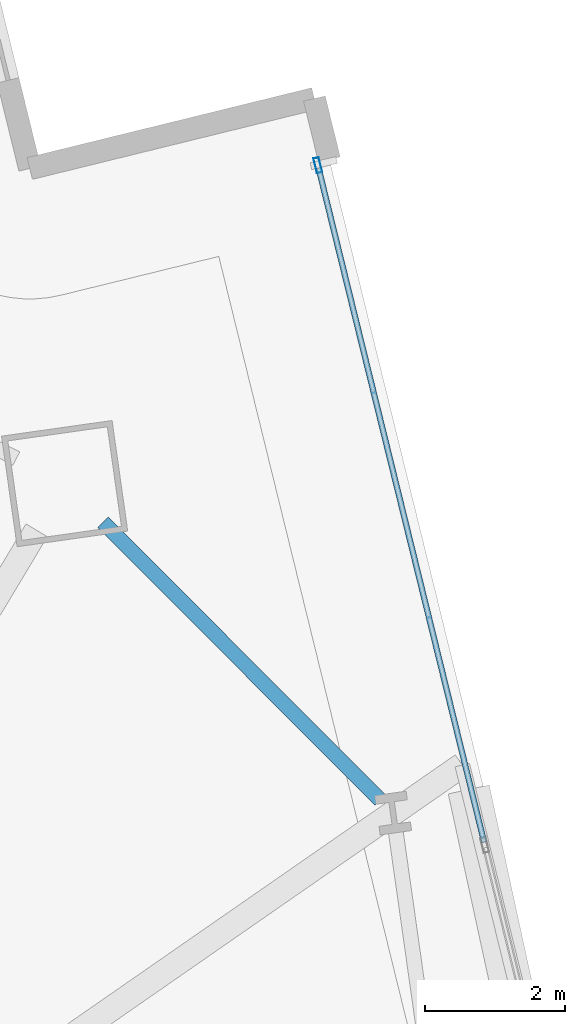
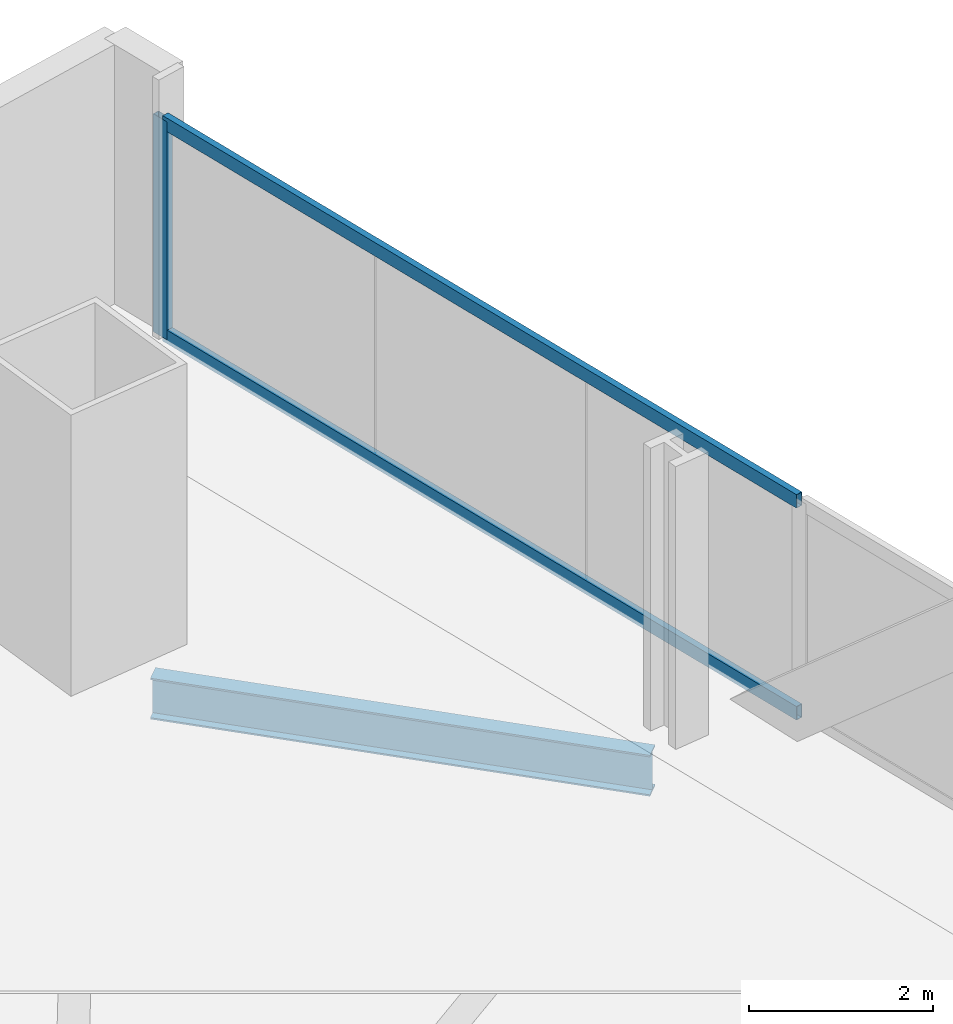
# One storey, part 22 of 32: 3 members, 1 beam, 1 element without a shape of its own.
"""IFC4 building model written with IfcOpenShell, lengths in metres."""

from ifc_helpers import new_model, si_unit, direction, frame, origin, origin_2d, place, context, subcontext, project, spatial, hollow_rectangle, i_section, extrude, material, material_profile, profile_set, type_object, element, aggregate, save


model = new_model("IFC4")

# Units and contexts
model_context = context("Model", 3, precision=1e-05, world=origin(), true_north=direction((0.0, 1.0)))
body_context = subcontext(model_context, "Body", "Model", "MODEL_VIEW")
ifc_project = project(units=[si_unit("LENGTHUNIT", "METRE"), si_unit("AREAUNIT", "SQUARE_METRE"), si_unit("VOLUMEUNIT", "CUBIC_METRE"), si_unit("PLANEANGLEUNIT", "RADIAN"), si_unit("MASSUNIT", "GRAM", prefix="KILO")], contexts=[model_context])

# Site, building, storey
site_placement = place(None, origin())
site = spatial("IfcSite", under=ifc_project, at=site_placement, CompositionType="ELEMENT")
building_placement = place(site_placement, origin())
building = spatial("IfcBuilding", under=site, at=building_placement, Name="Haldenkirk Collegiate Tower", CompositionType="ELEMENT")
storey_placement = place(building_placement, frame((0.0, 0.0, 73.949951171875)))
storey = spatial("IfcBuildingStorey", under=building, at=storey_placement, Name="L17", CompositionType="ELEMENT", Elevation=73.949951171875)

# Beam
ifc_material_1 = material(Name="Steel ASTM A992 Grade 50", Category="steel")
ifc_material_profile_1 = material_profile(ifc_material_1, i_section(OverallWidth=0.2119140625, OverallDepth=0.5439453125, WebThickness=0.01318359375, FlangeThickness=0.021240234375, at=origin_2d()), Name="W21X83")
ifc_profile_set_1 = profile_set([ifc_material_profile_1], Name="Steel ASTM A992 Grade 50")
beam_type = type_object("IfcBeamType", Name="BM-SPANDREL-W21X83", PredefinedType="SPANDREL", material=ifc_profile_set_1)
beam_placement = place(storey_placement, frame((57.70556640625, 43.135986328125, -0.58203125), z_axis=(-0.706085689957, 0.708126400043, 0.0), x_axis=(-0.708126400043, -0.706085689957, 0.0)))
element("IfcBeam", 1, at=beam_placement, inside=storey, type_object=beam_type, Name="L17 perimeter spandrel beam 08", PredefinedType="SPANDREL", context=body_context, shape_type="SweptSolid", body=[
    extrude(i_section(OverallWidth=0.2119140625, OverallDepth=0.5439453125, WebThickness=0.01318359375, FlangeThickness=0.021240234375, at=origin_2d()), origin(), (0.0, 0.0, 1.0), 5.622802734375),
])

# Curtain wall, members
ifc_material_2 = material(Name="Anodised architectural bronze aluminium", Category="aluminium")
curtain_wall_type = type_object("IfcCurtainWallType", Name="CW-SYS1-CONVEX-LOW", PredefinedType="USERDEFINED", material=ifc_material_2)
curtain_wall_placement = place(storey_placement, origin())
curtain_wall = element("IfcCurtainWall", 2, at=curtain_wall_placement, inside=storey, type_object=curtain_wall_type, Name="L17 Lower tower convex bronze-framed unitised curtain wall", ObjectType="UNITISED CURTAIN WALL", PredefinedType="USERDEFINED")
ifc_material_profile_2 = material_profile(ifc_material_2, hollow_rectangle(XDim=0.080078125, YDim=0.219970703125, WallThickness=0.0048828125, at=origin_2d()), Name="CW-MUL-1A")
ifc_profile_set_2 = profile_set([ifc_material_profile_2], Name="Anodised architectural bronze aluminium")
member_type_1 = type_object("IfcMemberType", Name="CW-MUL-1A", PredefinedType="MULLION", material=ifc_profile_set_2)
member_1_placement = place(storey_placement, frame((56.813720703125, 52.23193359375, 0.0), z_axis=(0.0, 0.0, 1.0), x_axis=(0.971134434447, 0.238532828413, 0.0)))
member_1 = element("IfcMember", 3, at=member_1_placement, type_object=member_type_1, Name="CW-1A mullion 1", PredefinedType="MULLION", context=body_context, shape_type="SweptSolid", body=[
    extrude(hollow_rectangle(XDim=0.080078125, YDim=0.219970703125, WallThickness=0.0048828125, at=origin_2d()), origin(), (0.0, 0.0, 1.0), 2.89111328125),
])
ifc_material_profile_3 = material_profile(ifc_material_2, hollow_rectangle(XDim=0.080078125, YDim=0.179931640625, WallThickness=0.0048828125, at=origin_2d()), Name="CW-TRN-1A")
ifc_profile_set_3 = profile_set([ifc_material_profile_3], Name="Anodised architectural bronze aluminium")
member_type_2 = type_object("IfcMemberType", Name="CW-TRN-1A", PredefinedType="USERDEFINED", material=ifc_profile_set_3)
member_2_placement = place(storey_placement, frame((56.8232421875, 52.193115234375, 0.0400390625), z_axis=(0.238526359404, -0.971136023361, 0.0), x_axis=(0.971136023361, 0.238526359404, 0.0)))
member_2 = element("IfcMember", 4, at=member_2_placement, type_object=member_type_2, Name="CW-1A transom 1.1", ObjectType="TRANSOM", PredefinedType="USERDEFINED", context=body_context, shape_type="SweptSolid", body=[
    extrude(hollow_rectangle(XDim=0.080078125, YDim=0.179931640625, WallThickness=0.0048828125, at=origin_2d()), origin(), (0.0, 0.0, 1.0), 9.94873046875),
])
member_3_placement = place(storey_placement, frame((56.8232421875, 52.193115234375, 2.85107421875), z_axis=(0.238526359404, -0.971136023361, 0.0), x_axis=(0.971136023361, 0.238526359404, 0.0)))
member_3 = element("IfcMember", 5, at=member_3_placement, type_object=member_type_2, Name="CW-1A transom 1.2", ObjectType="TRANSOM", PredefinedType="USERDEFINED", context=body_context, shape_type="SweptSolid", body=[
    extrude(hollow_rectangle(XDim=0.080078125, YDim=0.179931640625, WallThickness=0.0048828125, at=origin_2d()), origin(), (0.0, 0.0, 1.0), 9.94873046875),
])
aggregate(curtain_wall, [member_1, member_2, member_3])

save(model, "model.ifc")
